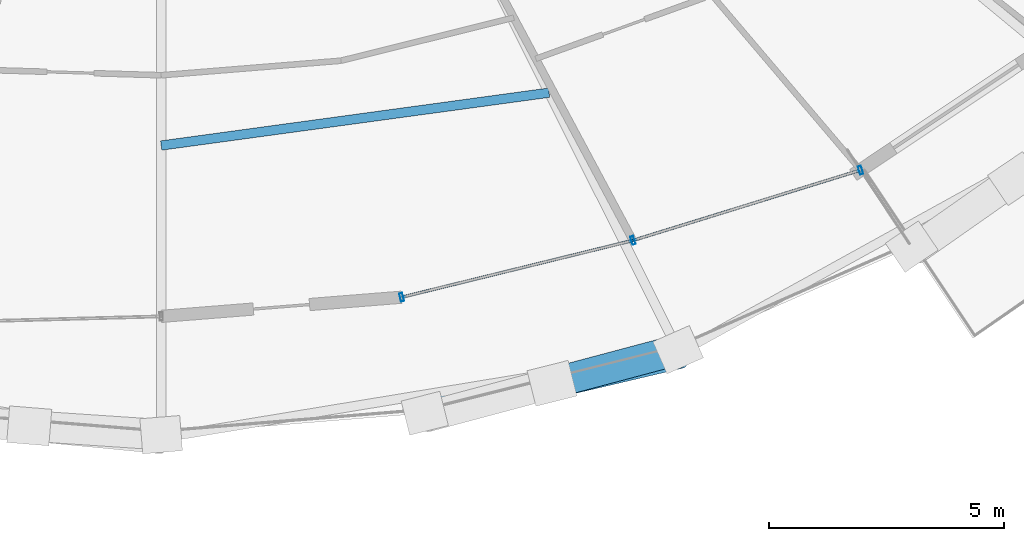
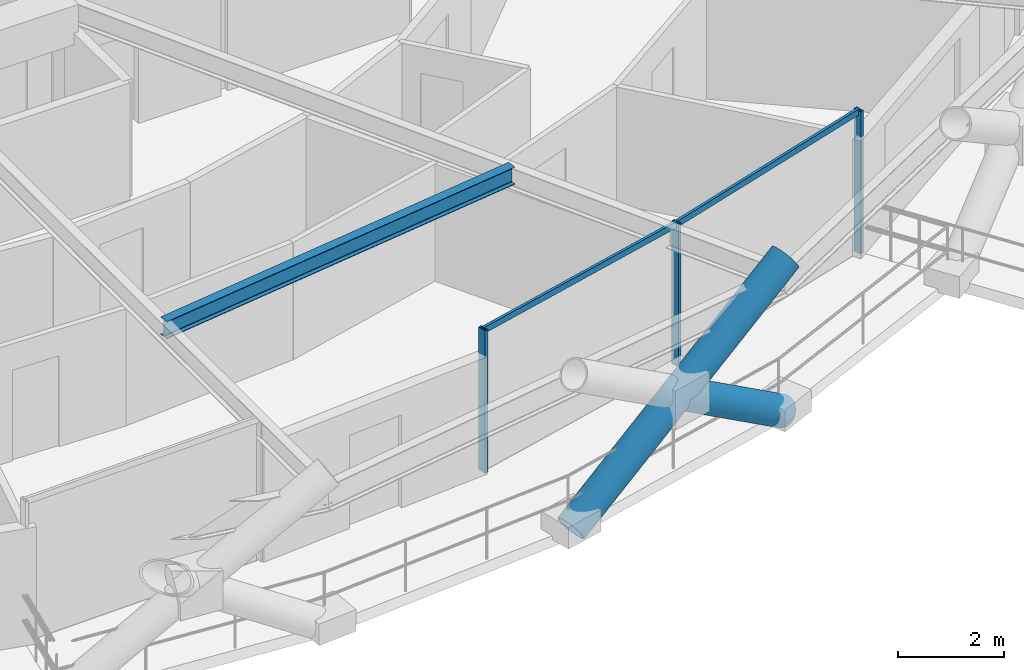
# One storey, part 4 of 14: 7 members, 1 beam, 1 element without a shape of its own.
"""IFC4 building model written with IfcOpenShell, lengths in metres."""

import ifcopenshell
import ifcopenshell.guid

model = None  # the IFC model being written
_history = None  # IfcOwnerHistory: only IFC2X3 demands one
_inside = {}  # id of a spatial element -> (the spatial element, [elements in it])
_under = {}  # id of a project, library or spatial element -> (it, [spatial elements below it])
_declared = {}  # id of a project -> (the project, [libraries it declares])
_typed = {}  # id of a type object -> (the type object, [elements of that type])
_made_of = {}  # id of a material, layer set ... -> (it, [elements and type objects made of it])


def new_model(schema):
    """Start an empty IFC model of exactly this schema.

    Asked for "IFC4X3", IfcOpenShell would pick the latest addendum, in which some entities
    have other attributes; the version numbers below select the first issue.
    IFC2X3 requires an IfcOwnerHistory on every rooted entity: one is made here for all.
    """
    global model, _history
    if schema == "IFC4X3":
        model = ifcopenshell.file(schema_version=(4, 3, 0, 0))
    else:
        model = ifcopenshell.file(schema=schema)
    _inside.clear()
    _under.clear()
    _declared.clear()
    _typed.clear()
    _made_of.clear()
    _history = None
    if model.schema == "IFC2X3":
        org = make("IfcOrganization", Name="unknown")
        user = make(
            "IfcPersonAndOrganization",
            ThePerson=make("IfcPerson", FamilyName="unknown"),
            TheOrganization=org,
        )
        app = make(
            "IfcApplication",
            ApplicationDeveloper=org,
            Version="unknown",
            ApplicationFullName="unknown",
            ApplicationIdentifier="unknown",
        )
        _history = make(
            "IfcOwnerHistory",
            OwningUser=user,
            OwningApplication=app,
            ChangeAction="ADDED",
            CreationDate=0,
        )
    return model


def make(cls, **values):
    """One entity of the class cls with the attributes given. An attribute that is None is left unset."""
    return model.create_entity(
        cls, **{name: value for name, value in values.items() if value is not None}
    )


def rooted(cls, **values):
    """An entity with a GlobalId (a new one), such as an element, a storey or a relation."""
    return make(cls, GlobalId=ifcopenshell.guid.new(), OwnerHistory=_history, **values)


def si_unit(unit_type, name, prefix=None):
    """IfcSIUnit, for example si_unit("LENGTHUNIT", "METRE", prefix="MILLI")."""
    return make("IfcSIUnit", UnitType=unit_type, Prefix=prefix, Name=name)


def assignment(units):
    """IfcUnitAssignment: the units of a project."""
    return None if units is None else make("IfcUnitAssignment", Units=units)


def point(xyz):
    """IfcCartesianPoint."""
    return None if xyz is None else make("IfcCartesianPoint", Coordinates=xyz)


def direction(xyz):
    """IfcDirection."""
    return None if xyz is None else make("IfcDirection", DirectionRatios=xyz)


def frame(location, z_axis=None, x_axis=None):
    """IfcAxis2Placement3D, a coordinate frame: its origin and axes. An axis left out is left unset."""
    return make(
        "IfcAxis2Placement3D",
        Location=point(location),
        Axis=direction(z_axis),
        RefDirection=direction(x_axis),
    )


def frame_2d(location, x_axis=None):
    """IfcAxis2Placement2D, a coordinate frame in the plane: its origin and x axis."""
    return make(
        "IfcAxis2Placement2D", Location=point(location), RefDirection=direction(x_axis)
    )


def origin():
    """The frame at (0, 0, 0) with its axes left unset."""
    return frame((0.0, 0.0, 0.0))


def origin_2d():
    """The frame at (0, 0) in the plane with its x axis left unset."""
    return frame_2d((0.0, 0.0))


def place(relative_to, where):
    """IfcLocalPlacement: puts the frame where relative to a parent placement (None: the world)."""
    return make(
        "IfcLocalPlacement", PlacementRelTo=relative_to, RelativePlacement=where
    )


def context(
    kind, dimensions, precision=None, world=None, true_north=None, identifier=None
):
    """IfcGeometricRepresentationContext, for example the 3D "Model" context."""
    return make(
        "IfcGeometricRepresentationContext",
        ContextIdentifier=identifier,
        ContextType=kind,
        CoordinateSpaceDimension=dimensions,
        Precision=precision,
        WorldCoordinateSystem=world,
        TrueNorth=true_north,
    )


def subcontext(parent, identifier, kind, view, scale=None):
    """IfcGeometricRepresentationSubContext, for example "Body" below "Model"."""
    return make(
        "IfcGeometricRepresentationSubContext",
        ContextIdentifier=identifier,
        ContextType=kind,
        ParentContext=parent,
        TargetScale=scale,
        TargetView=view,
    )


def project(units=None, contexts=None):
    """IfcProject with its units and contexts."""
    return rooted(
        "IfcProject",
        Name="project",
        RepresentationContexts=contexts,
        UnitsInContext=assignment(units),
    )


def spatial(cls, under=None, at=None, **own):
    """A site, building, storey or space (cls), placed at a placement, below another one or the project."""
    s = rooted(cls, ObjectPlacement=at, **own)
    if under is not None:
        _under.setdefault(under.id(), (under, []))[1].append(s)
    return s


def profile(cls, at=None, kind="AREA", **sizes):
    """A parametric profile (cls). Its sizes go by their IFC names, for example OverallWidth=200.0."""
    return make(cls, ProfileType=kind, Position=at, **sizes)


def hollow_rectangle(**sizes):
    """IfcRectangleHollowProfileDef."""
    return profile("IfcRectangleHollowProfileDef", **sizes)


def hollow_circle(**sizes):
    """IfcCircleHollowProfileDef."""
    return profile("IfcCircleHollowProfileDef", **sizes)


def i_section(**sizes):
    """IfcIShapeProfileDef."""
    return profile("IfcIShapeProfileDef", **sizes)


def extrude(swept, where, along, depth):
    """IfcExtrudedAreaSolid: the profile swept, set in the frame where, extruded along a direction by depth."""
    return make(
        "IfcExtrudedAreaSolid",
        SweptArea=swept,
        Position=where,
        ExtrudedDirection=direction(along),
        Depth=depth,
    )


def shape(context_of_items, identifier, shape_type, items):
    """IfcShapeRepresentation: the items that make up one representation, for example the "Body"."""
    return make(
        "IfcShapeRepresentation",
        ContextOfItems=context_of_items,
        RepresentationIdentifier=identifier,
        RepresentationType=shape_type,
        Items=items,
    )


def material(Name=None, Category=None):
    """IfcMaterial."""
    return make("IfcMaterial", Name=Name, Category=Category)


def layer(
    of_material, thickness, ventilated=None, Name=None, Category=None, Priority=None
):
    """IfcMaterialLayer: one layer of a wall or slab, of a material (None: an air gap)."""
    return make(
        "IfcMaterialLayer",
        Material=of_material,
        LayerThickness=thickness,
        IsVentilated=ventilated,
        Name=Name,
        Category=Category,
        Priority=Priority,
    )


def layer_set(layers, Name=None):
    """IfcMaterialLayerSet."""
    return make("IfcMaterialLayerSet", MaterialLayers=layers, LayerSetName=Name)


def material_profile(
    of_material, cross_section, Name=None, Category=None, Priority=None
):
    """IfcMaterialProfile: a cross section and its material."""
    return make(
        "IfcMaterialProfile",
        Name=Name,
        Material=of_material,
        Profile=cross_section,
        Priority=Priority,
        Category=Category,
    )


def profile_set(profiles, Name=None, composite=None):
    """IfcMaterialProfileSet."""
    return make(
        "IfcMaterialProfileSet",
        Name=Name,
        MaterialProfiles=profiles,
        CompositeProfile=composite,
    )


def made_of(thing, what):
    """Note that an element or type object is made of a material, layer set ...; save() writes the relation."""
    if what is not None:
        _made_of.setdefault(what.id(), (what, []))[1].append(thing)
    return thing


def type_object(cls, material=None, **own):
    """A type object (cls), such as IfcWallType, which elements share."""
    return made_of(rooted(cls, **own), material)


def element(
    cls,
    number,
    at=None,
    inside=None,
    cuts=None,
    type_object=None,
    material=None,
    context=None,
    identifier="Body",
    shape_type=None,
    held_by="IfcProductDefinitionShape",
    body=None,
    shapes=None,
    **own,
):
    """One element of the class cls, such as IfcWall. Its Tag is "e" and its number.

    at: its placement. inside: the storey or other place that contains it. cuts: it is an
    opening in that element (IfcRelVoidsElement). A single representation is given by context,
    identifier, shape_type and body (its items); several are given by shapes. held_by: the class
    of the entity that holds the representations. save() writes the other relations.
    """
    e = rooted(cls, Tag="e%d" % number, ObjectPlacement=at, **own)
    if body is not None:
        shapes = [shape(context, identifier, shape_type, body)]
    if shapes is not None:
        e.Representation = make(held_by, Representations=shapes)
    if inside is not None:
        _inside.setdefault(inside.id(), (inside, []))[1].append(e)
    if cuts is not None:
        rooted(
            "IfcRelVoidsElement", RelatingBuildingElement=cuts, RelatedOpeningElement=e
        )
    if type_object is not None:
        _typed.setdefault(type_object.id(), (type_object, []))[1].append(e)
    return made_of(e, material)


def aggregate(whole, parts):
    """IfcRelAggregates: a whole, such as a stair, and the parts it consists of."""
    return rooted("IfcRelAggregates", RelatingObject=whole, RelatedObjects=parts)


def save(model, path):
    """Write the relations noted so far, then the file.

    IfcRelAggregates (storeys below a building ...), IfcRelContainedInSpatialStructure (elements
    in a storey), IfcRelDefinesByType, IfcRelAssociatesMaterial and IfcRelDeclares: one each for
    every whole, place, type object, material and project.
    """
    for whole, parts in _under.values():
        aggregate(whole, parts)
    for where, things in _inside.values():
        rooted(
            "IfcRelContainedInSpatialStructure",
            RelatedElements=things,
            RelatingStructure=where,
        )
    for kind, things in _typed.values():
        rooted("IfcRelDefinesByType", RelatedObjects=things, RelatingType=kind)
    for what, things in _made_of.values():
        rooted("IfcRelAssociatesMaterial", RelatedObjects=things, RelatingMaterial=what)
    for by, libraries in _declared.values():
        rooted("IfcRelDeclares", RelatingContext=by, RelatedDefinitions=libraries)
    model.write(path)


model = new_model("IFC4")

# Units and contexts
model_context = context("Model", 3, precision=1e-05, world=origin(), true_north=direction((0.0, 1.0)))
body_context = subcontext(model_context, "Body", "Model", "MODEL_VIEW")
ifc_project = project(units=[si_unit("LENGTHUNIT", "METRE"), si_unit("AREAUNIT", "SQUARE_METRE"), si_unit("VOLUMEUNIT", "CUBIC_METRE"), si_unit("PLANEANGLEUNIT", "RADIAN"), si_unit("MASSUNIT", "GRAM", prefix="KILO")], contexts=[model_context])

# Site, building, storey
site_placement = place(None, origin())
site = spatial("IfcSite", under=ifc_project, at=site_placement, CompositionType="ELEMENT")
building_placement = place(site_placement, origin())
building = spatial("IfcBuilding", under=site, at=building_placement, Name="Veldorina Hangang Commons", CompositionType="ELEMENT")
storey_placement = place(building_placement, frame((0.0, 0.0, 62.800048828125)))
storey = spatial("IfcBuildingStorey", under=building, at=storey_placement, Name="L15", CompositionType="ELEMENT", Elevation=62.800048828125)

# Beam
ifc_material_1 = material(Name="Steel SM355-TMC", Category="steel")
ifc_material_profile_1 = material_profile(ifc_material_1, i_section(OverallWidth=0.199951171875, OverallDepth=0.39990234375, WebThickness=0.008056640625, FlangeThickness=0.012939453125, FilletRadius=0.012939453125, at=origin_2d()), Name="H-400x200x8x13")
ifc_profile_set_1 = profile_set([ifc_material_profile_1], Name="Steel SM355-TMC")
beam_type = type_object("IfcBeamType", Name="BM-JST400", PredefinedType="JOIST", material=ifc_profile_set_1)
beam_placement = place(storey_placement, frame((32.0, 6.388916015625, 3.139892578125), z_axis=(0.990854208484, 0.134936790871, 0.0), x_axis=(-0.134936790871, 0.990854208484, 0.0)))
element("IfcBeam", 1, at=beam_placement, inside=storey, type_object=beam_type, Name="L15 secondary floor joist 13", PredefinedType="JOIST", context=body_context, shape_type="SweptSolid", body=[
    extrude(i_section(OverallWidth=0.199951171875, OverallDepth=0.39990234375, WebThickness=0.008056640625, FlangeThickness=0.012939453125, FilletRadius=0.012939453125, at=origin_2d()), origin(), (0.0, 0.0, 1.0), 8.337158203125),
])

# Curtain wall, members
ifc_material_2 = material(Name="Glass Low-E Triple IGU", Category="glass")
ifc_layer = layer(ifc_material_2, 0.179931640625)
ifc_layer_set = layer_set([ifc_layer], Name="Glass Low-E Triple IGU")
curtain_wall_type = type_object("IfcCurtainWallType", Name="CW-SYS-Z1", PredefinedType="NOTDEFINED", material=ifc_layer_set)
curtain_wall_placement = place(storey_placement, origin())
curtain_wall = element("IfcCurtainWall", 2, at=curtain_wall_placement, inside=storey, type_object=curtain_wall_type, Name="L15 unitised curtain wall CW-L15-R2", PredefinedType="NOTDEFINED")
ifc_material_3 = material(Name="Aluminium Anodized AA6063-T6", Category="aluminium")
ifc_material_profile_2 = material_profile(ifc_material_3, hollow_rectangle(XDim=0.070068359375, YDim=0.179931640625, WallThickness=0.00390625, at=origin_2d()), Name="ALU-RHS-180x70x4")
ifc_profile_set_2 = profile_set([ifc_material_profile_2], Name="Aluminium Anodized AA6063-T6")
member_type_1 = type_object("IfcMemberType", Name="CW-MUL-180", PredefinedType="MULLION", material=ifc_profile_set_2)
member_1_placement = place(storey_placement, frame((37.12109375, 3.158203125, 0.0), z_axis=(0.0, 0.0, 1.0), x_axis=(0.971146768161, 0.23848260878, 0.0)))
member_1 = element("IfcMember", 3, at=member_1_placement, type_object=member_type_1, Name="CW-L15-R2 vertical mullion 1", PredefinedType="MULLION", context=body_context, shape_type="SweptSolid", body=[
    extrude(hollow_rectangle(XDim=0.070068359375, YDim=0.179931640625, WallThickness=0.00390625, at=origin_2d()), origin(), (0.0, 0.0, 1.0), 3.300048828125),
])
member_2_placement = place(storey_placement, frame((42.04541015625, 4.367431640625, 0.0), z_axis=(0.0, 0.0, 1.0), x_axis=(0.955448519277, 0.295157800188, 0.0)))
member_2 = element("IfcMember", 4, at=member_2_placement, type_object=member_type_1, Name="CW-L15-R2 vertical mullion 2", PredefinedType="MULLION", context=body_context, shape_type="SweptSolid", body=[
    extrude(hollow_rectangle(XDim=0.070068359375, YDim=0.179931640625, WallThickness=0.00390625, at=origin_2d()), origin(), (0.0, 0.0, 1.0), 3.300048828125),
])
member_3_placement = place(storey_placement, frame((46.89501953125, 5.865478515625, 0.0), z_axis=(0.0, 0.0, 1.0), x_axis=(-0.955448519277, -0.295157800188, 0.0)))
member_3 = element("IfcMember", 5, at=member_3_placement, type_object=member_type_1, Name="CW-L15-R2 vertical mullion 3", PredefinedType="MULLION", context=body_context, shape_type="SweptSolid", body=[
    extrude(hollow_rectangle(XDim=0.070068359375, YDim=0.179931640625, WallThickness=0.00390625, at=origin_2d()), origin(), (0.0, 0.0, 1.0), 3.300048828125),
])
ifc_material_profile_3 = material_profile(ifc_material_3, hollow_rectangle(XDim=0.06005859375, YDim=0.139892578125, WallThickness=0.00341796875, at=origin_2d()), Name="ALU-RHS-140x60x3.5")
ifc_profile_set_3 = profile_set([ifc_material_profile_3], Name="Aluminium Anodized AA6063-T6")
member_type_2 = type_object("IfcMemberType", Name="CW-TRN-140", PredefinedType="USERDEFINED", material=ifc_profile_set_3)
member_4_placement = place(storey_placement, frame((37.12109375, 3.158203125, 3.260009765625), z_axis=(0.971147965502, 0.238477732927, 0.0), x_axis=(-0.238477732927, 0.971147965502, 0.0)))
member_4 = element("IfcMember", 6, at=member_4_placement, type_object=member_type_2, Name="CW-L15-R2 facet 1 transom 1", ObjectType="TRANSOM", PredefinedType="USERDEFINED", context=body_context, shape_type="SweptSolid", body=[
    extrude(hollow_rectangle(XDim=0.06005859375, YDim=0.139892578125, WallThickness=0.00341796875, at=origin_2d()), origin(), (0.0, 0.0, 1.0), 5.070556640625),
])
member_5_placement = place(storey_placement, frame((42.04541015625, 4.367431640625, 3.260009765625), z_axis=(0.955453948464, 0.295140224918, 0.0), x_axis=(-0.295140224918, 0.955453948464, 0.0)))
member_5 = element("IfcMember", 7, at=member_5_placement, type_object=member_type_2, Name="CW-L15-R2 facet 2 transom 1", ObjectType="TRANSOM", PredefinedType="USERDEFINED", context=body_context, shape_type="SweptSolid", body=[
    extrude(hollow_rectangle(XDim=0.06005859375, YDim=0.139892578125, WallThickness=0.00341796875, at=origin_2d()), origin(), (0.0, 0.0, 1.0), 5.07568359375),
])
aggregate(curtain_wall, [member_1, member_2, member_3, member_4, member_5])

# Members
ifc_material_4 = material(Name="Steel SM460-TMC", Category="steel")
ifc_material_profile_4 = material_profile(ifc_material_4, hollow_circle(Radius=0.324951171875, WallThickness=0.031982421875, at=origin_2d()), Name="CHS-650x32")
ifc_profile_set_4 = profile_set([ifc_material_profile_4], Name="Steel SM460-TMC")
member_type_3 = type_object("IfcMemberType", Name="DG-CHS650", PredefinedType="BRACE", material=ifc_profile_set_4)
member_6_placement = place(storey_placement, frame((37.61279296875, 0.6865234375, 0.0), z_axis=(0.81780787859, 0.192479474169, 0.542348527922), x_axis=(-0.229100338087, 0.973402812349, 0.0)))
element("IfcMember", 8, at=member_6_placement, inside=storey, type_object=member_type_3, Name="L15 continuous perimeter diagrid brace 25", PredefinedType="BRACE", context=body_context, shape_type="SweptSolid", body=[
    extrude(hollow_circle(Radius=0.324951171875, WallThickness=0.031982421875, at=origin_2d()), origin(), (0.0, 0.0, 1.0), 6.637451171875),
])
member_7_placement = place(storey_placement, frame((43.009765625, 2.039306640625, 0.0), z_axis=(-0.811559075533, -0.215924122959, 0.542907579652), x_axis=(0.257116056264, -0.966380532508, 0.0)))
element("IfcMember", 9, at=member_7_placement, inside=storey, type_object=member_type_3, Name="L15 split perimeter diagrid lower brace 26", PredefinedType="BRACE", context=body_context, shape_type="SweptSolid", body=[
    extrude(hollow_circle(Radius=0.324951171875, WallThickness=0.031982421875, at=origin_2d()), origin(), (0.0, 0.0, 1.0), 3.310546875),
])

save(model, "model.ifc")
